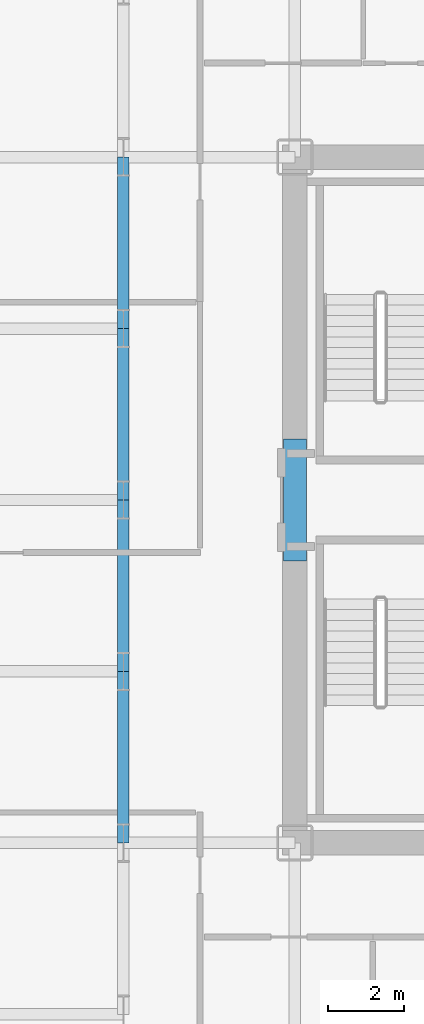
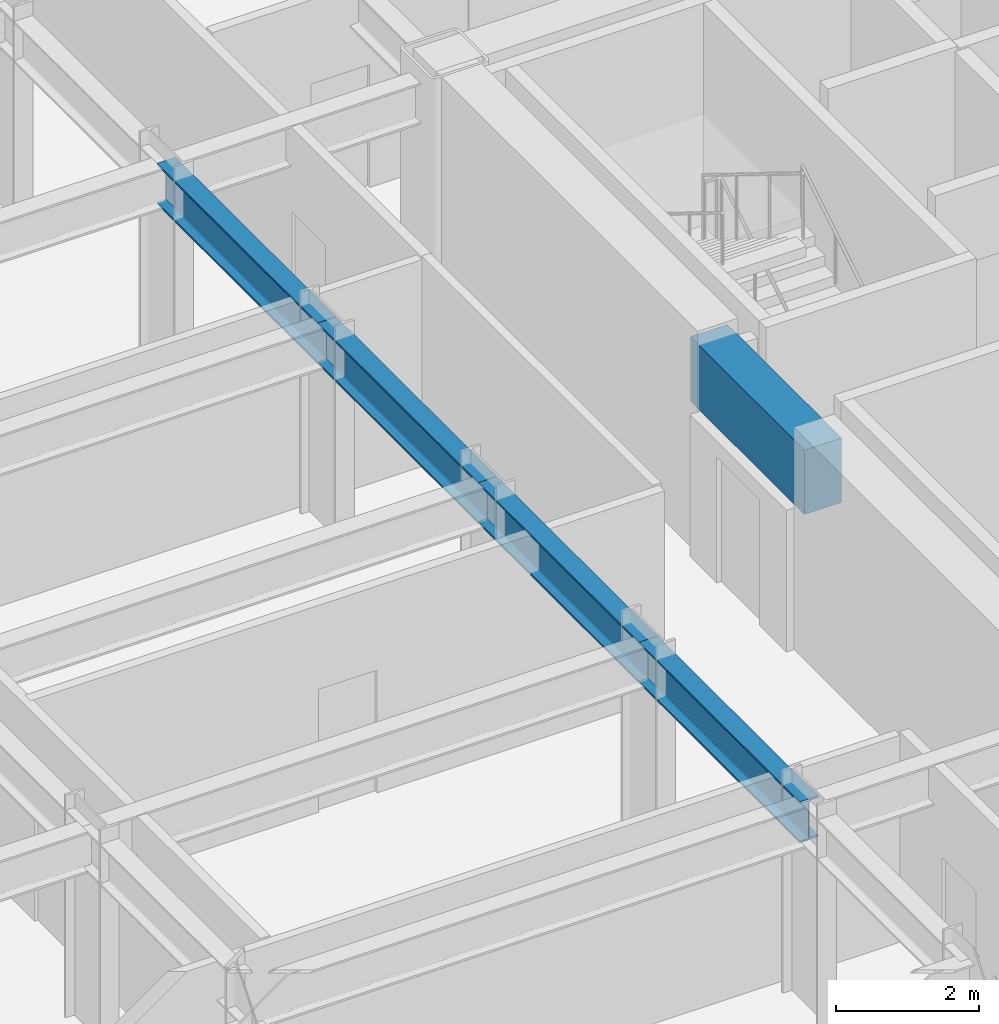
# One storey, part 7 of 30: 5 beams.
"""IFC4 building model written with IfcOpenShell, lengths in metres."""

from ifc_helpers import new_model, si_unit, direction, frame, origin, origin_2d, place, context, subcontext, project, spatial, rectangle, i_section, extrude, source, transform, mapped, material, material_profile, profile_set, type_object, element, save


model = new_model("IFC4")

# Units and contexts
model_context = context("Model", 3, precision=1e-05, world=origin(), true_north=direction((0.0, 1.0)))
body_context = subcontext(model_context, "Body", "Model", "MODEL_VIEW")
ifc_project = project(units=[si_unit("LENGTHUNIT", "METRE"), si_unit("AREAUNIT", "SQUARE_METRE"), si_unit("VOLUMEUNIT", "CUBIC_METRE"), si_unit("PLANEANGLEUNIT", "RADIAN"), si_unit("MASSUNIT", "GRAM", prefix="KILO")], contexts=[model_context])

# Site, building, storey
site_placement = place(None, origin())
site = spatial("IfcSite", under=ifc_project, at=site_placement, CompositionType="ELEMENT")
building_placement = place(site_placement, origin())
building = spatial("IfcBuilding", under=site, at=building_placement, Name="Nefas-Gora Pilgrimage Tower", CompositionType="ELEMENT")
storey_placement = place(building_placement, frame((0.0, 0.0, 33.0)))
storey = spatial("IfcBuildingStorey", under=building, at=storey_placement, Name="L06", CompositionType="ELEMENT", Elevation=33.0)

# Beams
ifc_material_1 = material(Name="Concrete C60/75", Category="concrete")
ifc_material_profile_1 = material_profile(ifc_material_1, rectangle(XDim=0.60009765625, YDim=1.10009765625, at=origin_2d()), Name="RC 600x1100")
ifc_profile_set_1 = profile_set([ifc_material_profile_1], Name="Concrete C60/75")
beam_type_1 = type_object("IfcBeamType", Name="BM-LIN-RC1100", PredefinedType="LINTEL", material=ifc_profile_set_1)
shared_shape_1 = source(origin(), body_context, "Body", "SweptSolid", [
    extrude(rectangle(XDim=0.60009765625, YDim=1.10009765625, at=origin_2d()), origin(), (0.0, 0.0, 1.0), 3.2001953125),
])
beam_placement = place(storey_placement, frame((-11.25, -1.60009765625, 3.0), z_axis=(0.0, 1.0, 0.0), x_axis=(-1.0, 0.0, 0.0)))
element("IfcBeam", 1, at=beam_placement, inside=storey, type_object=beam_type_1, Name="L06 Core Coupling Lintel Beam W", PredefinedType="LINTEL", context=body_context, shape_type="MappedRepresentation", body=[
    mapped(shared_shape_1, transform((0.0, 0.0, 0.0), x_axis=(1.0, 0.0, 0.0), y_axis=(0.0, 1.0, 0.0), z_axis=(0.0, 0.0, 1.0), scale=1.0)),
])
ifc_material_2 = material(Name="Steel S355", Category="steel")
ifc_material_profile_2 = material_profile(ifc_material_2, i_section(OverallWidth=0.300048828125, OverallDepth=0.699951171875, WebThickness=0.01708984375, FlangeThickness=0.031982421875, FilletRadius=0.027099609375, at=origin_2d()), Name="HEB 700")
ifc_profile_set_2 = profile_set([ifc_material_profile_2], Name="Steel S355")
beam_type_2 = type_object("IfcBeamType", Name="BM-GIR-HEB700", PredefinedType="BEAM", material=ifc_profile_set_2)
shared_shape_2 = source(origin(), body_context, "Body", "SweptSolid", [
    extrude(i_section(OverallWidth=0.300048828125, OverallDepth=0.699951171875, WebThickness=0.01708984375, FlangeThickness=0.031982421875, FilletRadius=0.027099609375, at=origin_2d()), origin(), (0.0, 0.0, 1.0), 4.5),
])
for number, where, z_axis, x_axis, name in (
    (2, (-15.75, -9.0, 3.199951171875), (0.0, 1.0, 0.0), (-1.0, 0.0, 0.0), "L06 G-02 beam"),
    (3, (-15.75, -4.5, 3.199951171875), (0.0, 1.0, 0.0), (-1.0, 0.0, 0.0), "L06 G-02 beam"),
    (4, (-15.75, 0.0, 3.199951171875), (0.0, 1.0, 0.0), (-1.0, 0.0, 0.0), "L06 G-02 beam"),
    (5, (-15.75, 4.5, 3.199951171875), (0.0, 1.0, 0.0), (-1.0, 0.0, 0.0), "L06 G-02 beam"),
):
    element("IfcBeam", number, at=place(storey_placement, frame(where, z_axis=z_axis, x_axis=x_axis)), inside=storey, type_object=beam_type_2, Name=name, PredefinedType="BEAM", context=body_context, shape_type="MappedRepresentation", body=[
        mapped(shared_shape_2, transform((0.0, 0.0, 0.0), x_axis=(1.0, 0.0, 0.0), y_axis=(0.0, 1.0, 0.0), z_axis=(0.0, 0.0, 1.0), scale=1.0)),
    ])

save(model, "model.ifc")
